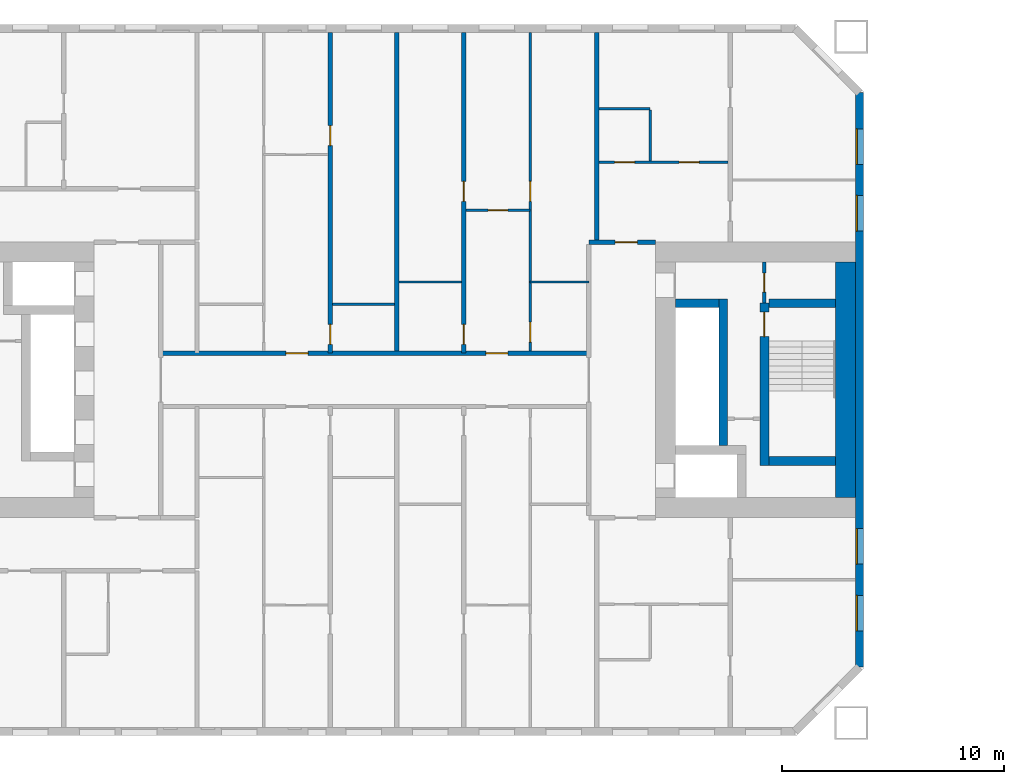
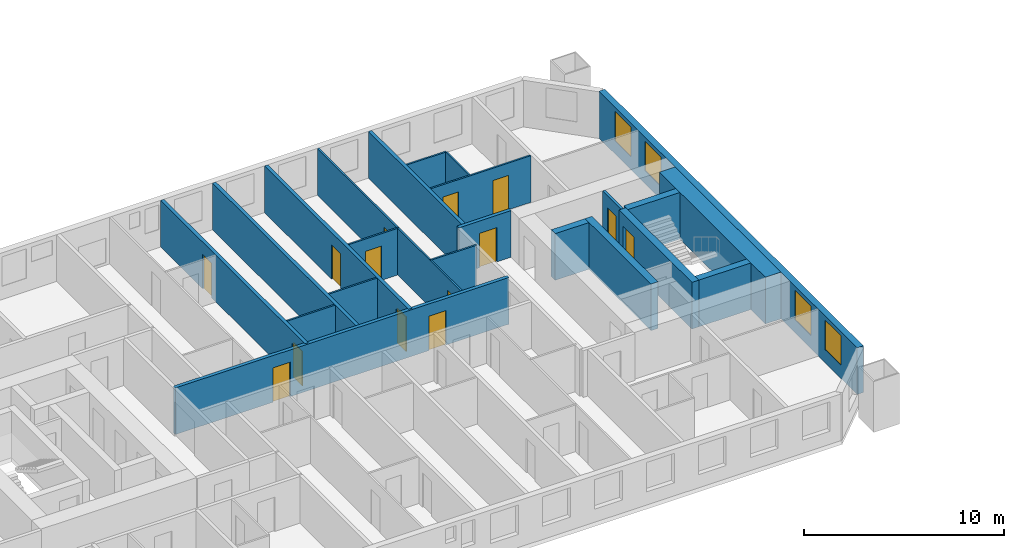
# One storey, part 7 of 16: 22 walls, 14 doors, 4 windows, 18 openings.
"""IFC4 building model written with IfcOpenShell, lengths in metres."""

from ifc_helpers import new_model, si_unit, direction, frame, frame_2d, origin, place, context, subcontext, project, spatial, rectangle, extrude, material, layer, layer_set, type_object, element, fill, save


model = new_model("IFC4")

# Units and contexts
model_context = context("Model", 3, precision=1e-05, world=origin(), true_north=direction((0.0, 1.0)))
body_context = subcontext(model_context, "Body", "Model", "MODEL_VIEW")
ifc_project = project(units=[si_unit("LENGTHUNIT", "METRE"), si_unit("AREAUNIT", "SQUARE_METRE"), si_unit("VOLUMEUNIT", "CUBIC_METRE"), si_unit("PLANEANGLEUNIT", "RADIAN"), si_unit("MASSUNIT", "GRAM", prefix="KILO")], contexts=[model_context])

# Site, building, storey
site_placement = place(None, origin())
site = spatial("IfcSite", under=ifc_project, at=site_placement, CompositionType="ELEMENT")
building_placement = place(site_placement, origin())
building = spatial("IfcBuilding", under=site, at=building_placement, Name="Tuart Gate Housing", CompositionType="ELEMENT")
storey_placement = place(building_placement, frame((0.0, 0.0, 35.0)))
storey = spatial("IfcBuildingStorey", under=building, at=storey_placement, Name="L09", CompositionType="ELEMENT", Elevation=35.0)

# Wall, openings, windows
ifc_material_1 = material(Name="Brick", Category="masonry")
ifc_layer_1 = layer(ifc_material_1, 0.360107421875)
ifc_layer_set_1 = layer_set([ifc_layer_1], Name="Brick pier and spandrel wall 360")
wall_type_1 = type_object("IfcWallType", Name="Brick pier and spandrel wall 360", PredefinedType="STANDARD", material=ifc_layer_set_1)
wall_1_placement = place(storey_placement, frame((75.820068359375, 57.07470703125, 0.0), z_axis=(0.0, 0.0, 1.0), x_axis=(0.0, 1.0, 0.0)))
wall_1 = element("IfcWall", 1, at=wall_1_placement, inside=storey, type_object=wall_type_1, Name="External wall A-E L09", PredefinedType="STANDARD", context=body_context, shape_type="SweptSolid", body=[
    extrude(rectangle(XDim=25.850830078125, YDim=0.360107421875, at=frame_2d((12.92529296875, 0.0))), origin(), (0.0, 0.0, 1.0), 2.85009765625),
])
opening_1_placement = place(wall_1_placement, frame((1.62548828125, 0.0, 0.800048828125)))
opening_1 = element("IfcOpeningElement", 2, at=opening_1_placement, cuts=wall_1, Name="Opening W1", PredefinedType="OPENING", context=body_context, shape_type="SweptSolid", body=[
    extrude(rectangle(XDim=1.60009765625, YDim=1.800048828125, at=frame_2d((0.800048828125, 0.89990234375))), frame((0.0, 0.18994140625, 0.0), z_axis=(0.0, -1.0, 0.0), x_axis=(1.0, 0.0, 0.0)), (0.0, 0.0, 1.0), 0.380126953125),
])
opening_2_placement = place(wall_1_placement, frame((4.62548828125, 0.0, 0.800048828125)))
opening_2 = element("IfcOpeningElement", 3, at=opening_2_placement, cuts=wall_1, Name="Opening W1", PredefinedType="OPENING", context=body_context, shape_type="SweptSolid", body=[
    extrude(rectangle(XDim=1.60009765625, YDim=1.800048828125, at=frame_2d((0.800048828125, 0.89990234375))), frame((0.0, 0.18994140625, 0.0), z_axis=(0.0, -1.0, 0.0), x_axis=(1.0, 0.0, 0.0)), (0.0, 0.0, 1.0), 0.380126953125),
])
opening_3_placement = place(wall_1_placement, frame((19.62548828125, 0.0, 0.800048828125)))
opening_3 = element("IfcOpeningElement", 4, at=opening_3_placement, cuts=wall_1, Name="Opening W1", PredefinedType="OPENING", context=body_context, shape_type="SweptSolid", body=[
    extrude(rectangle(XDim=1.60009765625, YDim=1.800048828125, at=frame_2d((0.800048828125, 0.89990234375))), frame((0.0, 0.18994140625, 0.0), z_axis=(0.0, -1.0, 0.0), x_axis=(1.0, 0.0, 0.0)), (0.0, 0.0, 1.0), 0.380126953125),
])
opening_4_placement = place(wall_1_placement, frame((22.62548828125, 0.0, 0.800048828125)))
opening_4 = element("IfcOpeningElement", 5, at=opening_4_placement, cuts=wall_1, Name="Opening W1", PredefinedType="OPENING", context=body_context, shape_type="SweptSolid", body=[
    extrude(rectangle(XDim=1.60009765625, YDim=1.800048828125, at=frame_2d((0.800048828125, 0.89990234375))), frame((0.0, 0.18994140625, 0.0), z_axis=(0.0, -1.0, 0.0), x_axis=(1.0, 0.0, 0.0)), (0.0, 0.0, 1.0), 0.380126953125),
])
ifc_material_2 = material(Name="Aluminium frame with clear glass", Category="aluminium")
window_type = type_object("IfcWindowType", Name="Punched window 1600 x 1800", PartitioningType="SINGLE_PANEL", PredefinedType="WINDOW", material=ifc_material_2)
window_1_placement = place(opening_1_placement, origin())
window_1 = element("IfcWindow", 6, at=window_1_placement, inside=storey, type_object=window_type, Name="Window W1", OverallHeight=1.800048828125, OverallWidth=1.60009765625, PartitioningType="SINGLE_PANEL", PredefinedType="WINDOW", context=body_context, shape_type="SweptSolid", body=[
    extrude(rectangle(XDim=1.60009765625, YDim=1.800048828125, at=frame_2d((0.800048828125, 0.89990234375))), frame((0.0, 0.150146484375, 0.0), z_axis=(0.0, -1.0, 0.0), x_axis=(1.0, 0.0, 0.0)), (0.0, 0.0, 1.0), 0.06005859375),
])
fill(opening_1, window_1)
window_2_placement = place(opening_2_placement, origin())
window_2 = element("IfcWindow", 7, at=window_2_placement, inside=storey, type_object=window_type, Name="Window W1", OverallHeight=1.800048828125, OverallWidth=1.60009765625, PartitioningType="SINGLE_PANEL", PredefinedType="WINDOW", context=body_context, shape_type="SweptSolid", body=[
    extrude(rectangle(XDim=1.60009765625, YDim=1.800048828125, at=frame_2d((0.800048828125, 0.89990234375))), frame((0.0, 0.150146484375, 0.0), z_axis=(0.0, -1.0, 0.0), x_axis=(1.0, 0.0, 0.0)), (0.0, 0.0, 1.0), 0.06005859375),
])
fill(opening_2, window_2)
window_3_placement = place(opening_3_placement, origin())
window_3 = element("IfcWindow", 8, at=window_3_placement, inside=storey, type_object=window_type, Name="Window W1", OverallHeight=1.800048828125, OverallWidth=1.60009765625, PartitioningType="SINGLE_PANEL", PredefinedType="WINDOW", context=body_context, shape_type="SweptSolid", body=[
    extrude(rectangle(XDim=1.60009765625, YDim=1.800048828125, at=frame_2d((0.800048828125, 0.89990234375))), frame((0.0, 0.150146484375, 0.0), z_axis=(0.0, -1.0, 0.0), x_axis=(1.0, 0.0, 0.0)), (0.0, 0.0, 1.0), 0.06005859375),
])
fill(opening_3, window_3)
window_4_placement = place(opening_4_placement, origin())
window_4 = element("IfcWindow", 9, at=window_4_placement, inside=storey, type_object=window_type, Name="Window W1", OverallHeight=1.800048828125, OverallWidth=1.60009765625, PartitioningType="SINGLE_PANEL", PredefinedType="WINDOW", context=body_context, shape_type="SweptSolid", body=[
    extrude(rectangle(XDim=1.60009765625, YDim=1.800048828125, at=frame_2d((0.800048828125, 0.89990234375))), frame((0.0, 0.150146484375, 0.0), z_axis=(0.0, -1.0, 0.0), x_axis=(1.0, 0.0, 0.0)), (0.0, 0.0, 1.0), 0.06005859375),
])
fill(opening_4, window_4)

# Wall, opening, door
ifc_material_3 = material(Name="Plasterboard partition")
ifc_layer_2 = layer(ifc_material_3, 0.14990234375)
ifc_layer_set_2 = layer_set([ifc_layer_2], Name="Core partition 150")
wall_type_2 = type_object("IfcWallType", Name="Core partition 150", PredefinedType="PARTITIONING", material=ifc_layer_set_2)
wall_2_placement = place(storey_placement, frame((71.5400390625, 73.449951171875, 0.0), z_axis=(0.0, 0.0, 1.0), x_axis=(0.0, 1.0, 0.0)))
wall_2 = element("IfcWall", 10, at=wall_2_placement, inside=storey, type_object=wall_type_2, Name="Core partition AG.9", PredefinedType="PARTITIONING", context=body_context, shape_type="SweptSolid", body=[
    extrude(rectangle(XDim=1.85009765625, YDim=0.14990234375, at=frame_2d((0.925048828125, 0.0))), origin(), (0.0, 0.0, 1.0), 2.85009765625),
])
opening_5_placement = place(wall_2_placement, frame((0.5, 0.0, 0.0)))
opening_5 = element("IfcOpeningElement", 11, at=opening_5_placement, cuts=wall_2, Name="Opening D492", PredefinedType="OPENING", context=body_context, shape_type="SweptSolid", body=[
    extrude(rectangle(XDim=0.85009765625, YDim=2.10009765625, at=frame_2d((0.425048828125, 1.050048828125))), frame((0.0, 0.0849609375, 0.0), z_axis=(0.0, -1.0, 0.0), x_axis=(1.0, 0.0, 0.0)), (0.0, 0.0, 1.0), 0.169921875),
])
ifc_material_4 = material(Name="Steel fire door", Category="steel")
door_type_1 = type_object("IfcDoorType", Name="Service door 850 x 2100 RH", OperationType="SINGLE_SWING_RIGHT", PredefinedType="DOOR", material=ifc_material_4)
door_1_placement = place(opening_5_placement, frame((0.85009765625, 0.0, 0.0), z_axis=(0.0, 0.0, 1.0), x_axis=(-1.0, 0.0, 0.0)))
door_1 = element("IfcDoor", 12, at=door_1_placement, inside=storey, type_object=door_type_1, Name="Service room door AG.ST", OperationType="SINGLE_SWING_RIGHT", OverallHeight=2.10009765625, OverallWidth=0.85009765625, PredefinedType="DOOR", context=body_context, shape_type="SweptSolid", body=[
    extrude(rectangle(XDim=0.85009765625, YDim=2.10009765625, at=frame_2d((0.425048828125, 1.050048828125))), frame((0.0, 0.025146484375, 0.0), z_axis=(0.0, -1.0, 0.0), x_axis=(1.0, 0.0, 0.0)), (0.0, 0.0, 1.0), 0.050048828125),
])
fill(opening_5, door_1)

# Walls
ifc_material_5 = material(Name="Concrete C60", Category="concrete")
ifc_layer_3 = layer(ifc_material_5, 0.39990234375)
ifc_layer_set_3 = layer_set([ifc_layer_3], Name="Core wall 400 C60")
wall_type_3 = type_object("IfcWallType", Name="Core wall 400 C60", PredefinedType="SHEAR", material=ifc_layer_set_3)
wall_3_placement = place(storey_placement, frame((71.739990234375, 66.35009765625, 0.0), z_axis=(0.0, 0.0, 1.0), x_axis=(1.0, 0.0, 0.0)))
element("IfcWall", 13, at=wall_3_placement, inside=storey, type_object=wall_type_3, Name="Core wall AG.1", PredefinedType="SHEAR", context=body_context, shape_type="SweptSolid", body=[
    extrude(rectangle(XDim=3.0, YDim=0.39990234375, at=frame_2d((1.5, 0.0))), origin(), (0.0, 0.0, 1.0), 2.85009765625),
])
wall_4_placement = place(storey_placement, frame((67.5400390625, 73.449951171875, 0.0), z_axis=(0.0, 0.0, 1.0), x_axis=(1.0, 0.0, 0.0)))
element("IfcWall", 14, at=wall_4_placement, inside=storey, type_object=wall_type_3, Name="Core wall AG.4", PredefinedType="SHEAR", context=body_context, shape_type="SweptSolid", body=[
    extrude(rectangle(XDim=1.949951171875, YDim=0.39990234375, at=frame_2d((0.97509765625, 0.0))), origin(), (0.0, 0.0, 1.0), 2.85009765625),
])
wall_5_placement = place(storey_placement, frame((71.739990234375, 73.449951171875, 0.0), z_axis=(0.0, 0.0, 1.0), x_axis=(1.0, 0.0, 0.0)))
element("IfcWall", 15, at=wall_5_placement, inside=storey, type_object=wall_type_3, Name="Core wall AG.5", PredefinedType="SHEAR", context=body_context, shape_type="SweptSolid", body=[
    extrude(rectangle(XDim=3.0, YDim=0.39990234375, at=frame_2d((1.5, 0.0))), origin(), (0.0, 0.0, 1.0), 2.85009765625),
])
wall_6_placement = place(storey_placement, frame((69.68994140625, 67.050048828125, 0.0), z_axis=(0.0, 0.0, 1.0), x_axis=(0.0, 1.0, 0.0)))
element("IfcWall", 16, at=wall_6_placement, inside=storey, type_object=wall_type_3, Name="Core wall AG.6", PredefinedType="SHEAR", context=body_context, shape_type="SweptSolid", body=[
    extrude(rectangle(XDim=6.599853515625, YDim=0.39990234375, at=frame_2d((3.2998046875, 0.0))), origin(), (0.0, 0.0, 1.0), 2.85009765625),
])

# Wall, opening, door
wall_7_placement = place(storey_placement, frame((71.5400390625, 66.14990234375, 0.0), z_axis=(0.0, 0.0, 1.0), x_axis=(0.0, 1.0, 0.0)))
wall_7 = element("IfcWall", 17, at=wall_7_placement, inside=storey, type_object=wall_type_3, Name="Core wall AG.8", PredefinedType="SHEAR", context=body_context, shape_type="SweptSolid", body=[
    extrude(rectangle(XDim=7.300048828125, YDim=0.39990234375, at=frame_2d((3.64990234375, 0.0))), origin(), (0.0, 0.0, 1.0), 2.85009765625),
])
opening_6_placement = place(wall_7_placement, frame((5.800048828125, 0.0, 0.0)))
opening_6 = element("IfcOpeningElement", 18, at=opening_6_placement, cuts=wall_7, Name="Opening D502", PredefinedType="OPENING", context=body_context, shape_type="SweptSolid", body=[
    extrude(rectangle(XDim=1.10009765625, YDim=2.10009765625, at=frame_2d((0.550048828125, 1.050048828125))), frame((0.0, 0.2099609375, 0.0), z_axis=(0.0, -1.0, 0.0), x_axis=(1.0, 0.0, 0.0)), (0.0, 0.0, 1.0), 0.419921875),
])
ifc_material_6 = material(Name="Steel fire door", Category="steel")
door_type_2 = type_object("IfcDoorType", Name="Stair door 1100 x 2100", OperationType="SINGLE_SWING_LEFT", PredefinedType="DOOR", material=ifc_material_6)
door_2_placement = place(opening_6_placement, frame((1.10009765625, 0.0, 0.0), z_axis=(0.0, 0.0, 1.0), x_axis=(-1.0, 0.0, 0.0)))
door_2 = element("IfcDoor", 19, at=door_2_placement, inside=storey, type_object=door_type_2, Name="Stair door AG.SD", OperationType="SINGLE_SWING_LEFT", OverallHeight=2.10009765625, OverallWidth=1.10009765625, PredefinedType="DOOR", context=body_context, shape_type="SweptSolid", body=[
    extrude(rectangle(XDim=1.10009765625, YDim=2.10009765625, at=frame_2d((0.550048828125, 1.050048828125))), frame((0.0, 0.025146484375, 0.0), z_axis=(0.0, -1.0, 0.0), x_axis=(1.0, 0.0, 0.0)), (0.0, 0.0, 1.0), 0.050048828125),
])
fill(opening_6, door_2)

# Wall
ifc_material_7 = material(Name="Concrete C60", Category="concrete")
ifc_layer_4 = layer(ifc_material_7, 0.89990234375)
ifc_layer_set_4 = layer_set([ifc_layer_4], Name="Core wall 900 C60")
wall_type_4 = type_object("IfcWallType", Name="Core wall 900 C60", PredefinedType="SHEAR", material=ifc_layer_set_4)
wall_8_placement = place(storey_placement, frame((75.18994140625, 64.699951171875, 0.0), z_axis=(0.0, 0.0, 1.0), x_axis=(0.0, 1.0, 0.0)))
element("IfcWall", 20, at=wall_8_placement, inside=storey, type_object=wall_type_4, Name="Core wall AG back", PredefinedType="SHEAR", context=body_context, shape_type="SweptSolid", body=[
    extrude(rectangle(XDim=10.60009765625, YDim=0.89990234375, at=frame_2d((5.300048828125, 0.0))), origin(), (0.0, 0.0, 1.0), 2.85009765625),
])

# Wall, openings, doors
ifc_material_8 = material(Name="Concrete masonry 15 MPa", Category="masonry")
ifc_layer_5 = layer(ifc_material_8, 0.199951171875)
ifc_layer_set_5 = layer_set([ifc_layer_5], Name="Corridor wall masonry 200")
wall_type_5 = type_object("IfcWallType", Name="Corridor wall masonry 200", PredefinedType="PARTITIONING", material=ifc_layer_set_5)
wall_9_placement = place(storey_placement, frame((44.360107421875, 71.199951171875, 0.0), z_axis=(0.0, 0.0, 1.0), x_axis=(1.0, 0.0, 0.0)))
wall_9 = element("IfcWall", 21, at=wall_9_placement, inside=storey, type_object=wall_type_5, Name="Corridor wall masonry 200", PredefinedType="PARTITIONING", context=body_context, shape_type="SweptSolid", body=[
    extrude(rectangle(XDim=19.27978515625, YDim=0.199951171875, at=frame_2d((9.639892578125, 0.0))), origin(), (0.0, 0.0, 1.0), 2.85009765625),
])
opening_7_placement = place(wall_9_placement, frame((14.639892578125, 0.0, 0.0)))
opening_7 = element("IfcOpeningElement", 22, at=opening_7_placement, cuts=wall_9, Name="Opening D494", PredefinedType="OPENING", context=body_context, shape_type="SweptSolid", body=[
    extrude(rectangle(XDim=1.0, YDim=2.10009765625, at=frame_2d((0.5, 1.050048828125))), frame((0.0, 0.10986328125, 0.0), z_axis=(0.0, -1.0, 0.0), x_axis=(1.0, 0.0, 0.0)), (0.0, 0.0, 1.0), 0.219970703125),
])
opening_8_placement = place(wall_9_placement, frame((5.639892578125, 0.0, 0.0)))
opening_8 = element("IfcOpeningElement", 23, at=opening_8_placement, cuts=wall_9, Name="Opening D495", PredefinedType="OPENING", context=body_context, shape_type="SweptSolid", body=[
    extrude(rectangle(XDim=1.0, YDim=2.10009765625, at=frame_2d((0.5, 1.050048828125))), frame((0.0, 0.10986328125, 0.0), z_axis=(0.0, -1.0, 0.0), x_axis=(1.0, 0.0, 0.0)), (0.0, 0.0, 1.0), 0.219970703125),
])
ifc_material_9 = material(Name="Timber door leaf in steel frame", Category="steel")
door_type_3 = type_object("IfcDoorType", Name="Flat entrance door 1000", OperationType="SINGLE_SWING_LEFT", PredefinedType="DOOR", material=ifc_material_9)
door_3_placement = place(opening_7_placement, origin())
door_3 = element("IfcDoor", 24, at=door_3_placement, inside=storey, type_object=door_type_3, Name="Flat entrance door", OperationType="SINGLE_SWING_LEFT", OverallHeight=2.10009765625, OverallWidth=1.0, PredefinedType="DOOR", context=body_context, shape_type="SweptSolid", body=[
    extrude(rectangle(XDim=1.0, YDim=2.10009765625, at=frame_2d((0.5, 1.050048828125))), frame((0.0, 0.02490234375, 0.0), z_axis=(0.0, -1.0, 0.0), x_axis=(1.0, 0.0, 0.0)), (0.0, 0.0, 1.0), 0.050048828125),
])
fill(opening_7, door_3)
door_4_placement = place(opening_8_placement, origin())
door_4 = element("IfcDoor", 25, at=door_4_placement, inside=storey, type_object=door_type_3, Name="Flat entrance door", OperationType="SINGLE_SWING_LEFT", OverallHeight=2.10009765625, OverallWidth=1.0, PredefinedType="DOOR", context=body_context, shape_type="SweptSolid", body=[
    extrude(rectangle(XDim=1.0, YDim=2.10009765625, at=frame_2d((0.5, 1.050048828125))), frame((0.0, 0.02490234375, 0.0), z_axis=(0.0, -1.0, 0.0), x_axis=(1.0, 0.0, 0.0)), (0.0, 0.0, 1.0), 0.050048828125),
])
fill(opening_8, door_4)

# Wall, opening, door
ifc_material_10 = material(Name="Concrete masonry 15 MPa", Category="masonry")
ifc_layer_6 = layer(ifc_material_10, 0.199951171875)
ifc_layer_set_6 = layer_set([ifc_layer_6], Name="Enclosure wall masonry 200")
wall_type_6 = type_object("IfcWallType", Name="Enclosure wall masonry 200", PredefinedType="PARTITIONING", material=ifc_layer_set_6)
wall_10_placement = place(storey_placement, frame((63.639892578125, 76.199951171875, 0.0), z_axis=(0.0, 0.0, 1.0), x_axis=(1.0, 0.0, 0.0)))
wall_10 = element("IfcWall", 26, at=wall_10_placement, inside=storey, type_object=wall_type_6, Name="Enclosure wall masonry 200", PredefinedType="PARTITIONING", context=body_context, shape_type="SweptSolid", body=[
    extrude(rectangle(XDim=3.0, YDim=0.199951171875, at=frame_2d((1.5, 0.0))), origin(), (0.0, 0.0, 1.0), 2.85009765625),
])
opening_9_placement = place(wall_10_placement, frame((1.179931640625, 0.0, 0.0)))
opening_9 = element("IfcOpeningElement", 27, at=opening_9_placement, cuts=wall_10, Name="Opening D491", PredefinedType="OPENING", context=body_context, shape_type="SweptSolid", body=[
    extrude(rectangle(XDim=1.0, YDim=2.10009765625, at=frame_2d((0.5, 1.050048828125))), frame((0.0, 0.10986328125, 0.0), z_axis=(0.0, -1.0, 0.0), x_axis=(1.0, 0.0, 0.0)), (0.0, 0.0, 1.0), 0.219970703125),
])
door_5_placement = place(opening_9_placement, origin())
door_5 = element("IfcDoor", 28, at=door_5_placement, inside=storey, type_object=door_type_3, Name="Flat entrance door", OperationType="SINGLE_SWING_LEFT", OverallHeight=2.10009765625, OverallWidth=1.0, PredefinedType="DOOR", context=body_context, shape_type="SweptSolid", body=[
    extrude(rectangle(XDim=1.0, YDim=2.10009765625, at=frame_2d((0.5, 1.050048828125))), frame((0.0, 0.02490234375, 0.0), z_axis=(0.0, -1.0, 0.0), x_axis=(1.0, 0.0, 0.0)), (0.0, 0.0, 1.0), 0.050048828125),
])
fill(opening_9, door_5)

# Walls
ifc_material_11 = material(Name="Gypsum board on steel studs", Category="steel")
ifc_layer_7 = layer(ifc_material_11, 0.10009765625)
ifc_layer_set_7 = layer_set([ifc_layer_7], Name="Partition 100")
wall_type_7 = type_object("IfcWallType", Name="Partition 100", PredefinedType="PARTITIONING", material=ifc_layer_set_7)
for number, where, z_axis, x_axis, name in (
    (29, (52.10009765625, 73.39990234375, 0.0), (0.0, 0.0, 1.0), (1.0, 0.0, 0.0), "Partition 100"),
    (30, (55.10009765625, 74.39990234375, 0.0), (0.0, 0.0, 1.0), (1.0, 0.0, 0.0), "Partition 100"),
):
    element("IfcWall", number, at=place(storey_placement, frame(where, z_axis=z_axis, x_axis=x_axis)), inside=storey, type_object=wall_type_7, Name=name, PredefinedType="PARTITIONING", context=body_context, shape_type="SweptSolid", body=[
        extrude(rectangle(XDim=2.7998046875, YDim=0.10009765625, at=frame_2d((1.39990234375, 0.0))), origin(), (0.0, 0.0, 1.0), 2.85009765625),
    ])
wall_11_placement = place(storey_placement, frame((61.0, 74.39990234375, 0.0), z_axis=(0.0, 0.0, 1.0), x_axis=(1.0, 0.0, 0.0)))
element("IfcWall", 31, at=wall_11_placement, inside=storey, type_object=wall_type_7, Name="Partition 100", PredefinedType="PARTITIONING", context=body_context, shape_type="SweptSolid", body=[
    extrude(rectangle(XDim=2.639892578125, YDim=0.10009765625, at=frame_2d((1.31982421875, 0.0))), origin(), (0.0, 0.0, 1.0), 2.85009765625),
])

# Wall, opening, door
wall_12_placement = place(storey_placement, frame((58.10009765625, 77.639892578125, 0.0), z_axis=(0.0, 0.0, 1.0), x_axis=(1.0, 0.0, 0.0)))
wall_12 = element("IfcWall", 32, at=wall_12_placement, inside=storey, type_object=wall_type_7, Name="Partition 100", PredefinedType="PARTITIONING", context=body_context, shape_type="SweptSolid", body=[
    extrude(rectangle(XDim=2.89990234375, YDim=0.10009765625, at=frame_2d((1.449951171875, 0.0))), origin(), (0.0, 0.0, 1.0), 2.85009765625),
])
opening_10_placement = place(wall_12_placement, frame((1.0, 0.0, 0.0)))
opening_10 = element("IfcOpeningElement", 33, at=opening_10_placement, cuts=wall_12, Name="Opening D488", PredefinedType="OPENING", context=body_context, shape_type="SweptSolid", body=[
    extrude(rectangle(XDim=0.89990234375, YDim=2.10009765625, at=frame_2d((0.449951171875, 1.050048828125))), frame((0.0, 0.06005859375, 0.0), z_axis=(0.0, -1.0, 0.0), x_axis=(1.0, 0.0, 0.0)), (0.0, 0.0, 1.0), 0.1201171875),
])
ifc_material_12 = material(Name="Timber door leaf in steel frame", Category="steel")
door_type_4 = type_object("IfcDoorType", Name="Internal door 900", OperationType="SINGLE_SWING_LEFT", PredefinedType="DOOR", material=ifc_material_12)
door_6_placement = place(opening_10_placement, frame((0.89990234375, 0.0, 0.0), z_axis=(0.0, 0.0, 1.0), x_axis=(-1.0, 0.0, 0.0)))
door_6 = element("IfcDoor", 34, at=door_6_placement, inside=storey, type_object=door_type_4, Name="Internal door", OperationType="SINGLE_SWING_LEFT", OverallHeight=2.10009765625, OverallWidth=0.89990234375, PredefinedType="DOOR", context=body_context, shape_type="SweptSolid", body=[
    extrude(rectangle(XDim=0.89990234375, YDim=2.10009765625, at=frame_2d((0.449951171875, 1.050048828125))), frame((0.0, 0.025146484375, 0.0), z_axis=(0.0, -1.0, 0.0), x_axis=(1.0, 0.0, 0.0)), (0.0, 0.0, 1.0), 0.050048828125),
])
fill(opening_10, door_6)

# Wall, openings, doors
wall_13_placement = place(storey_placement, frame((64.10009765625, 79.800048828125, 0.0), z_axis=(0.0, 0.0, 1.0), x_axis=(1.0, 0.0, 0.0)))
wall_13 = element("IfcWall", 35, at=wall_13_placement, inside=storey, type_object=wall_type_7, Name="Partition 100", PredefinedType="PARTITIONING", context=body_context, shape_type="SweptSolid", body=[
    extrude(rectangle(XDim=5.7998046875, YDim=0.10009765625, at=frame_2d((2.89990234375, 0.0))), origin(), (0.0, 0.0, 1.0), 2.85009765625),
])
opening_11_placement = place(wall_13_placement, frame((3.60009765625, 0.0, 0.0)))
opening_11 = element("IfcOpeningElement", 36, at=opening_11_placement, cuts=wall_13, Name="Opening D476", PredefinedType="OPENING", context=body_context, shape_type="SweptSolid", body=[
    extrude(rectangle(XDim=0.89990234375, YDim=2.10009765625, at=frame_2d((0.449951171875, 1.050048828125))), frame((0.0, 0.06005859375, 0.0), z_axis=(0.0, -1.0, 0.0), x_axis=(1.0, 0.0, 0.0)), (0.0, 0.0, 1.0), 0.1201171875),
])
opening_12_placement = place(wall_13_placement, frame((0.699951171875, 0.0, 0.0)))
opening_12 = element("IfcOpeningElement", 37, at=opening_12_placement, cuts=wall_13, Name="Opening D475", PredefinedType="OPENING", context=body_context, shape_type="SweptSolid", body=[
    extrude(rectangle(XDim=0.89990234375, YDim=2.10009765625, at=frame_2d((0.449951171875, 1.050048828125))), frame((0.0, 0.06005859375, 0.0), z_axis=(0.0, -1.0, 0.0), x_axis=(1.0, 0.0, 0.0)), (0.0, 0.0, 1.0), 0.1201171875),
])
ifc_material_13 = material(Name="Timber door leaf in steel frame", Category="steel")
door_type_5 = type_object("IfcDoorType", Name="Bathroom door 900 RH", OperationType="SINGLE_SWING_RIGHT", PredefinedType="DOOR", material=ifc_material_13)
door_7_placement = place(opening_12_placement, origin())
door_7 = element("IfcDoor", 38, at=door_7_placement, inside=storey, type_object=door_type_5, Name="Bathroom door", OperationType="SINGLE_SWING_RIGHT", OverallHeight=2.10009765625, OverallWidth=0.89990234375, PredefinedType="DOOR", context=body_context, shape_type="SweptSolid", body=[
    extrude(rectangle(XDim=0.89990234375, YDim=2.10009765625, at=frame_2d((0.449951171875, 1.050048828125))), frame((0.0, 0.02490234375, 0.0), z_axis=(0.0, -1.0, 0.0), x_axis=(1.0, 0.0, 0.0)), (0.0, 0.0, 1.0), 0.050048828125),
])
fill(opening_12, door_7)
door_8_placement = place(opening_11_placement, frame((0.89990234375, 0.0, 0.0), z_axis=(0.0, 0.0, 1.0), x_axis=(-1.0, 0.0, 0.0)))
door_8 = element("IfcDoor", 39, at=door_8_placement, inside=storey, type_object=door_type_4, Name="Internal door", OperationType="SINGLE_SWING_LEFT", OverallHeight=2.10009765625, OverallWidth=0.89990234375, PredefinedType="DOOR", context=body_context, shape_type="SweptSolid", body=[
    extrude(rectangle(XDim=0.89990234375, YDim=2.10009765625, at=frame_2d((0.449951171875, 1.050048828125))), frame((0.0, 0.025146484375, 0.0), z_axis=(0.0, -1.0, 0.0), x_axis=(1.0, 0.0, 0.0)), (0.0, 0.0, 1.0), 0.050048828125),
])
fill(opening_11, door_8)

# Wall
wall_14_placement = place(storey_placement, frame((64.10009765625, 82.199951171875, 0.0), z_axis=(0.0, 0.0, 1.0), x_axis=(1.0, 0.0, 0.0)))
element("IfcWall", 40, at=wall_14_placement, inside=storey, type_object=wall_type_7, Name="Partition 100", PredefinedType="PARTITIONING", context=body_context, shape_type="SweptSolid", body=[
    extrude(rectangle(XDim=2.2998046875, YDim=0.10009765625, at=frame_2d((1.14990234375, 0.0))), origin(), (0.0, 0.0, 1.0), 2.85009765625),
])

# Wall, openings, doors
wall_15_placement = place(storey_placement, frame((61.0, 71.300048828125, 0.0), z_axis=(0.0, 0.0, 1.0), x_axis=(0.0, 1.0, 0.0)))
wall_15 = element("IfcWall", 41, at=wall_15_placement, inside=storey, type_object=wall_type_7, Name="Partition 100", PredefinedType="PARTITIONING", context=body_context, shape_type="SweptSolid", body=[
    extrude(rectangle(XDim=14.33984375, YDim=0.10009765625, at=frame_2d((7.169921875, 0.0))), origin(), (0.0, 0.0, 1.0), 2.85009765625),
])
opening_13_placement = place(wall_15_placement, frame((6.739990234375, 0.0, 0.0)))
opening_13 = element("IfcOpeningElement", 42, at=opening_13_placement, cuts=wall_15, Name="Opening D483", PredefinedType="OPENING", context=body_context, shape_type="SweptSolid", body=[
    extrude(rectangle(XDim=0.89990234375, YDim=2.10009765625, at=frame_2d((0.449951171875, 1.050048828125))), frame((0.0, 0.06005859375, 0.0), z_axis=(0.0, -1.0, 0.0), x_axis=(1.0, 0.0, 0.0)), (0.0, 0.0, 1.0), 0.1201171875),
])
opening_14_placement = place(wall_15_placement, frame((0.39990234375, 0.0, 0.0)))
opening_14 = element("IfcOpeningElement", 43, at=opening_14_placement, cuts=wall_15, Name="Opening D482", PredefinedType="OPENING", context=body_context, shape_type="SweptSolid", body=[
    extrude(rectangle(XDim=0.89990234375, YDim=2.10009765625, at=frame_2d((0.449951171875, 1.050048828125))), frame((0.0, 0.06005859375, 0.0), z_axis=(0.0, -1.0, 0.0), x_axis=(1.0, 0.0, 0.0)), (0.0, 0.0, 1.0), 0.1201171875),
])
door_9_placement = place(opening_14_placement, frame((0.89990234375, 0.0, 0.0), z_axis=(0.0, 0.0, 1.0), x_axis=(-1.0, 0.0, 0.0)))
door_9 = element("IfcDoor", 44, at=door_9_placement, inside=storey, type_object=door_type_5, Name="Bathroom door", OperationType="SINGLE_SWING_RIGHT", OverallHeight=2.10009765625, OverallWidth=0.89990234375, PredefinedType="DOOR", context=body_context, shape_type="SweptSolid", body=[
    extrude(rectangle(XDim=0.89990234375, YDim=2.10009765625, at=frame_2d((0.449951171875, 1.050048828125))), frame((0.0, 0.025146484375, 0.0), z_axis=(0.0, -1.0, 0.0), x_axis=(1.0, 0.0, 0.0)), (0.0, 0.0, 1.0), 0.050048828125),
])
fill(opening_14, door_9)
ifc_material_14 = material(Name="Timber door leaf in steel frame", Category="steel")
door_type_6 = type_object("IfcDoorType", Name="Internal door 900 RH", OperationType="SINGLE_SWING_RIGHT", PredefinedType="DOOR", material=ifc_material_14)
door_10_placement = place(opening_13_placement, frame((0.89990234375, 0.0, 0.0), z_axis=(0.0, 0.0, 1.0), x_axis=(-1.0, 0.0, 0.0)))
door_10 = element("IfcDoor", 45, at=door_10_placement, inside=storey, type_object=door_type_6, Name="Internal door", OperationType="SINGLE_SWING_RIGHT", OverallHeight=2.10009765625, OverallWidth=0.89990234375, PredefinedType="DOOR", context=body_context, shape_type="SweptSolid", body=[
    extrude(rectangle(XDim=0.89990234375, YDim=2.10009765625, at=frame_2d((0.449951171875, 1.050048828125))), frame((0.0, 0.025146484375, 0.0), z_axis=(0.0, -1.0, 0.0), x_axis=(1.0, 0.0, 0.0)), (0.0, 0.0, 1.0), 0.050048828125),
])
fill(opening_13, door_10)

# Wall
wall_16_placement = place(storey_placement, frame((66.39990234375, 79.85009765625, 0.0), z_axis=(0.0, 0.0, 1.0), x_axis=(0.0, 1.0, 0.0)))
element("IfcWall", 46, at=wall_16_placement, inside=storey, type_object=wall_type_7, Name="Partition 100", PredefinedType="PARTITIONING", context=body_context, shape_type="SweptSolid", body=[
    extrude(rectangle(XDim=2.2998046875, YDim=0.10009765625, at=frame_2d((1.14990234375, 0.0))), origin(), (0.0, 0.0, 1.0), 2.85009765625),
])

# Wall, openings, doors
ifc_material_15 = material(Name="Concrete C40", Category="concrete")
ifc_layer_8 = layer(ifc_material_15, 0.199951171875)
ifc_layer_set_8 = layer_set([ifc_layer_8], Name="Party wall concrete C40 200")
wall_type_8 = type_object("IfcWallType", Name="Party wall concrete C40 200", PredefinedType="SOLIDWALL", material=ifc_layer_set_8)
wall_17_placement = place(storey_placement, frame((52.0, 71.199951171875, 0.0), z_axis=(0.0, 0.0, 1.0), x_axis=(0.0, 1.0, 0.0)))
wall_17 = element("IfcWall", 47, at=wall_17_placement, inside=storey, type_object=wall_type_8, Name="Party wall concrete C40 200", PredefinedType="SOLIDWALL", context=body_context, shape_type="SweptSolid", body=[
    extrude(rectangle(XDim=14.43994140625, YDim=0.199951171875, at=frame_2d((7.219970703125, 0.0))), origin(), (0.0, 0.0, 1.0), 2.85009765625),
])
opening_15_placement = place(wall_17_placement, frame((9.340087890625, 0.0, 0.0)))
opening_15 = element("IfcOpeningElement", 48, at=opening_15_placement, cuts=wall_17, Name="Opening D485", PredefinedType="OPENING", context=body_context, shape_type="SweptSolid", body=[
    extrude(rectangle(XDim=0.89990234375, YDim=2.10009765625, at=frame_2d((0.449951171875, 1.050048828125))), frame((0.0, 0.10986328125, 0.0), z_axis=(0.0, -1.0, 0.0), x_axis=(1.0, 0.0, 0.0)), (0.0, 0.0, 1.0), 0.219970703125),
])
opening_16_placement = place(wall_17_placement, frame((0.39990234375, 0.0, 0.0)))
opening_16 = element("IfcOpeningElement", 49, at=opening_16_placement, cuts=wall_17, Name="Opening D484", PredefinedType="OPENING", context=body_context, shape_type="SweptSolid", body=[
    extrude(rectangle(XDim=0.89990234375, YDim=2.10009765625, at=frame_2d((0.449951171875, 1.050048828125))), frame((0.0, 0.10986328125, 0.0), z_axis=(0.0, -1.0, 0.0), x_axis=(1.0, 0.0, 0.0)), (0.0, 0.0, 1.0), 0.219970703125),
])
door_11_placement = place(opening_16_placement, frame((0.89990234375, 0.0, 0.0), z_axis=(0.0, 0.0, 1.0), x_axis=(-1.0, 0.0, 0.0)))
door_11 = element("IfcDoor", 50, at=door_11_placement, inside=storey, type_object=door_type_5, Name="Bathroom door", OperationType="SINGLE_SWING_RIGHT", OverallHeight=2.10009765625, OverallWidth=0.89990234375, PredefinedType="DOOR", context=body_context, shape_type="SweptSolid", body=[
    extrude(rectangle(XDim=0.89990234375, YDim=2.10009765625, at=frame_2d((0.449951171875, 1.050048828125))), frame((0.0, 0.025146484375, 0.0), z_axis=(0.0, -1.0, 0.0), x_axis=(1.0, 0.0, 0.0)), (0.0, 0.0, 1.0), 0.050048828125),
])
fill(opening_16, door_11)
door_12_placement = place(opening_15_placement, frame((0.89990234375, 0.0, 0.0), z_axis=(0.0, 0.0, 1.0), x_axis=(-1.0, 0.0, 0.0)))
door_12 = element("IfcDoor", 51, at=door_12_placement, inside=storey, type_object=door_type_4, Name="Internal door", OperationType="SINGLE_SWING_LEFT", OverallHeight=2.10009765625, OverallWidth=0.89990234375, PredefinedType="DOOR", context=body_context, shape_type="SweptSolid", body=[
    extrude(rectangle(XDim=0.89990234375, YDim=2.10009765625, at=frame_2d((0.449951171875, 1.050048828125))), frame((0.0, 0.025146484375, 0.0), z_axis=(0.0, -1.0, 0.0), x_axis=(1.0, 0.0, 0.0)), (0.0, 0.0, 1.0), 0.050048828125),
])
fill(opening_15, door_12)

wall_18_placement = place(storey_placement, frame((58.0, 71.199951171875, 0.0), z_axis=(0.0, 0.0, 1.0), x_axis=(0.0, 1.0, 0.0)))
wall_18 = element("IfcWall", 52, at=wall_18_placement, inside=storey, type_object=wall_type_8, Name="Party wall concrete C40 200", PredefinedType="SOLIDWALL", context=body_context, shape_type="SweptSolid", body=[
    extrude(rectangle(XDim=14.43994140625, YDim=0.199951171875, at=frame_2d((7.219970703125, 0.0))), origin(), (0.0, 0.0, 1.0), 2.85009765625),
])
opening_17_placement = place(wall_18_placement, frame((6.840087890625, 0.0, 0.0)))
opening_17 = element("IfcOpeningElement", 53, at=opening_17_placement, cuts=wall_18, Name="Opening D487", PredefinedType="OPENING", context=body_context, shape_type="SweptSolid", body=[
    extrude(rectangle(XDim=0.89990234375, YDim=2.10009765625, at=frame_2d((0.449951171875, 1.050048828125))), frame((0.0, 0.10986328125, 0.0), z_axis=(0.0, -1.0, 0.0), x_axis=(1.0, 0.0, 0.0)), (0.0, 0.0, 1.0), 0.219970703125),
])
opening_18_placement = place(wall_18_placement, frame((0.39990234375, 0.0, 0.0)))
opening_18 = element("IfcOpeningElement", 54, at=opening_18_placement, cuts=wall_18, Name="Opening D486", PredefinedType="OPENING", context=body_context, shape_type="SweptSolid", body=[
    extrude(rectangle(XDim=0.89990234375, YDim=2.10009765625, at=frame_2d((0.449951171875, 1.050048828125))), frame((0.0, 0.10986328125, 0.0), z_axis=(0.0, -1.0, 0.0), x_axis=(1.0, 0.0, 0.0)), (0.0, 0.0, 1.0), 0.219970703125),
])
ifc_material_16 = material(Name="Timber door leaf in steel frame", Category="steel")
door_type_7 = type_object("IfcDoorType", Name="Bathroom door 900", OperationType="SINGLE_SWING_LEFT", PredefinedType="DOOR", material=ifc_material_16)
door_13_placement = place(opening_18_placement, origin())
door_13 = element("IfcDoor", 55, at=door_13_placement, inside=storey, type_object=door_type_7, Name="Bathroom door", OperationType="SINGLE_SWING_LEFT", OverallHeight=2.10009765625, OverallWidth=0.89990234375, PredefinedType="DOOR", context=body_context, shape_type="SweptSolid", body=[
    extrude(rectangle(XDim=0.89990234375, YDim=2.10009765625, at=frame_2d((0.449951171875, 1.050048828125))), frame((0.0, 0.02490234375, 0.0), z_axis=(0.0, -1.0, 0.0), x_axis=(1.0, 0.0, 0.0)), (0.0, 0.0, 1.0), 0.050048828125),
])
fill(opening_18, door_13)
door_14_placement = place(opening_17_placement, origin())
door_14 = element("IfcDoor", 56, at=door_14_placement, inside=storey, type_object=door_type_4, Name="Internal door", OperationType="SINGLE_SWING_LEFT", OverallHeight=2.10009765625, OverallWidth=0.89990234375, PredefinedType="DOOR", context=body_context, shape_type="SweptSolid", body=[
    extrude(rectangle(XDim=0.89990234375, YDim=2.10009765625, at=frame_2d((0.449951171875, 1.050048828125))), frame((0.0, 0.02490234375, 0.0), z_axis=(0.0, -1.0, 0.0), x_axis=(1.0, 0.0, 0.0)), (0.0, 0.0, 1.0), 0.050048828125),
])
fill(opening_17, door_14)

# Walls
wall_19_placement = place(storey_placement, frame((64.0, 76.199951171875, 0.0), z_axis=(0.0, 0.0, 1.0), x_axis=(0.0, 1.0, 0.0)))
element("IfcWall", 57, at=wall_19_placement, inside=storey, type_object=wall_type_8, Name="Party wall concrete C40 200", PredefinedType="SOLIDWALL", context=body_context, shape_type="SweptSolid", body=[
    extrude(rectangle(XDim=9.43994140625, YDim=0.199951171875, at=frame_2d((4.719970703125, 0.0))), origin(), (0.0, 0.0, 1.0), 2.85009765625),
])
ifc_material_17 = material(Name="Concrete masonry 15 MPa", Category="masonry")
ifc_layer_9 = layer(ifc_material_17, 0.199951171875)
ifc_layer_set_9 = layer_set([ifc_layer_9], Name="Party wall masonry 200")
wall_type_9 = type_object("IfcWallType", Name="Party wall masonry 200", PredefinedType="PARTITIONING", material=ifc_layer_set_9)
wall_20_placement = place(storey_placement, frame((55.0, 71.300048828125, 0.0), z_axis=(0.0, 0.0, 1.0), x_axis=(0.0, 1.0, 0.0)))
element("IfcWall", 58, at=wall_20_placement, inside=storey, type_object=wall_type_9, Name="Party wall masonry 200", PredefinedType="PARTITIONING", context=body_context, shape_type="SweptSolid", body=[
    extrude(rectangle(XDim=14.33984375, YDim=0.199951171875, at=frame_2d((7.169921875, 0.0))), origin(), (0.0, 0.0, 1.0), 2.85009765625),
])

save(model, "model.ifc")
